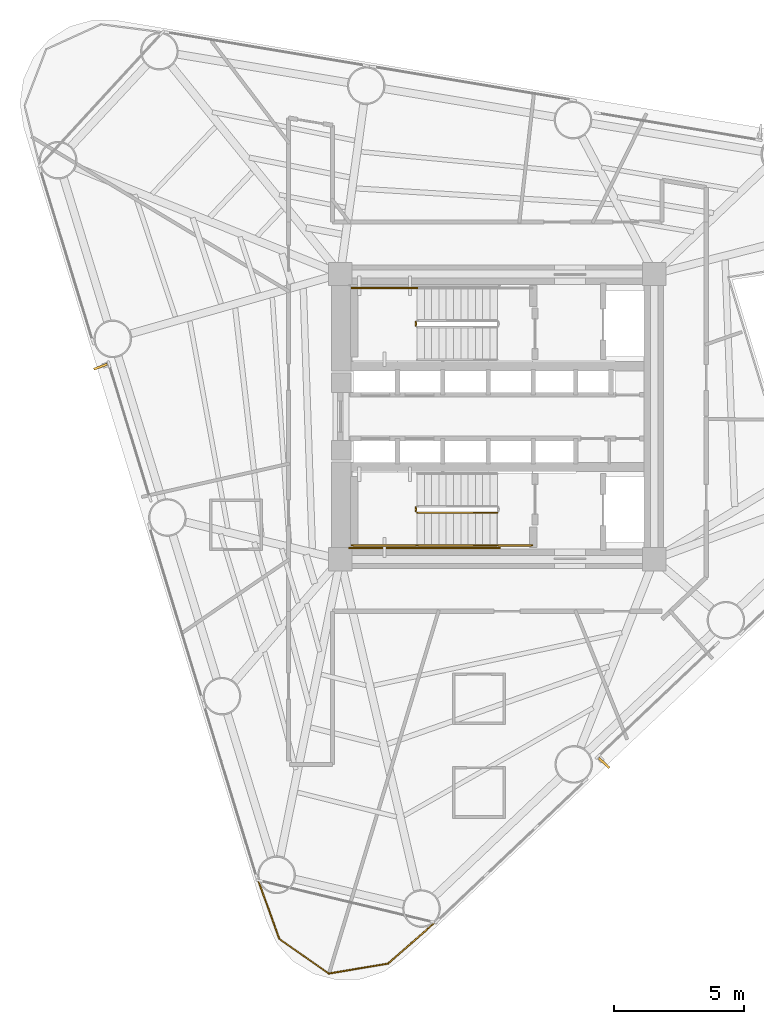
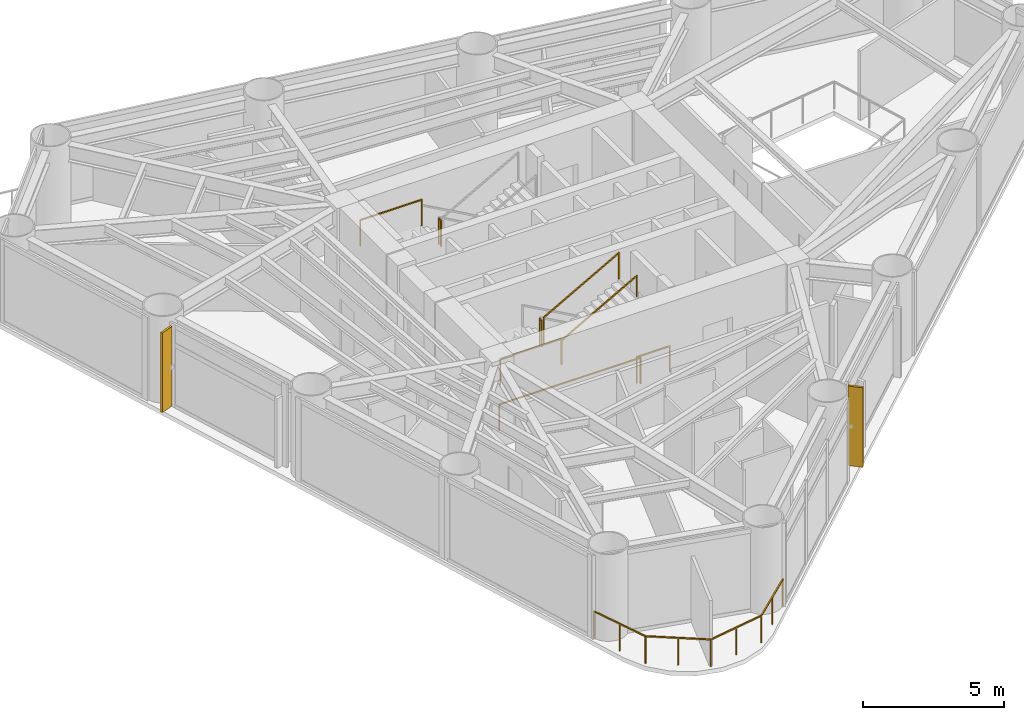
# One storey, part 8 of 10: 9 railings, 2 shading devices.
"""IFC4 building model written with IfcOpenShell, lengths in metres."""

import ifcopenshell
import ifcopenshell.guid

model = None  # the IFC model being written
_history = None  # IfcOwnerHistory: only IFC2X3 demands one
_inside = {}  # id of a spatial element -> (the spatial element, [elements in it])
_under = {}  # id of a project, library or spatial element -> (it, [spatial elements below it])
_declared = {}  # id of a project -> (the project, [libraries it declares])
_typed = {}  # id of a type object -> (the type object, [elements of that type])
_made_of = {}  # id of a material, layer set ... -> (it, [elements and type objects made of it])


def new_model(schema):
    """Start an empty IFC model of exactly this schema.

    Asked for "IFC4X3", IfcOpenShell would pick the latest addendum, in which some entities
    have other attributes; the version numbers below select the first issue.
    IFC2X3 requires an IfcOwnerHistory on every rooted entity: one is made here for all.
    """
    global model, _history
    if schema == "IFC4X3":
        model = ifcopenshell.file(schema_version=(4, 3, 0, 0))
    else:
        model = ifcopenshell.file(schema=schema)
    _inside.clear()
    _under.clear()
    _declared.clear()
    _typed.clear()
    _made_of.clear()
    _history = None
    if model.schema == "IFC2X3":
        org = make("IfcOrganization", Name="unknown")
        user = make(
            "IfcPersonAndOrganization",
            ThePerson=make("IfcPerson", FamilyName="unknown"),
            TheOrganization=org,
        )
        app = make(
            "IfcApplication",
            ApplicationDeveloper=org,
            Version="unknown",
            ApplicationFullName="unknown",
            ApplicationIdentifier="unknown",
        )
        _history = make(
            "IfcOwnerHistory",
            OwningUser=user,
            OwningApplication=app,
            ChangeAction="ADDED",
            CreationDate=0,
        )
    return model


def make(cls, **values):
    """One entity of the class cls with the attributes given. An attribute that is None is left unset."""
    return model.create_entity(
        cls, **{name: value for name, value in values.items() if value is not None}
    )


def rooted(cls, **values):
    """An entity with a GlobalId (a new one), such as an element, a storey or a relation."""
    return make(cls, GlobalId=ifcopenshell.guid.new(), OwnerHistory=_history, **values)


def si_unit(unit_type, name, prefix=None):
    """IfcSIUnit, for example si_unit("LENGTHUNIT", "METRE", prefix="MILLI")."""
    return make("IfcSIUnit", UnitType=unit_type, Prefix=prefix, Name=name)


def assignment(units):
    """IfcUnitAssignment: the units of a project."""
    return None if units is None else make("IfcUnitAssignment", Units=units)


def point(xyz):
    """IfcCartesianPoint."""
    return None if xyz is None else make("IfcCartesianPoint", Coordinates=xyz)


def direction(xyz):
    """IfcDirection."""
    return None if xyz is None else make("IfcDirection", DirectionRatios=xyz)


def frame(location, z_axis=None, x_axis=None):
    """IfcAxis2Placement3D, a coordinate frame: its origin and axes. An axis left out is left unset."""
    return make(
        "IfcAxis2Placement3D",
        Location=point(location),
        Axis=direction(z_axis),
        RefDirection=direction(x_axis),
    )


def frame_2d(location, x_axis=None):
    """IfcAxis2Placement2D, a coordinate frame in the plane: its origin and x axis."""
    return make(
        "IfcAxis2Placement2D", Location=point(location), RefDirection=direction(x_axis)
    )


def origin():
    """The frame at (0, 0, 0) with its axes left unset."""
    return frame((0.0, 0.0, 0.0))


def origin_2d():
    """The frame at (0, 0) in the plane with its x axis left unset."""
    return frame_2d((0.0, 0.0))


def place(relative_to, where):
    """IfcLocalPlacement: puts the frame where relative to a parent placement (None: the world)."""
    return make(
        "IfcLocalPlacement", PlacementRelTo=relative_to, RelativePlacement=where
    )


def context(
    kind, dimensions, precision=None, world=None, true_north=None, identifier=None
):
    """IfcGeometricRepresentationContext, for example the 3D "Model" context."""
    return make(
        "IfcGeometricRepresentationContext",
        ContextIdentifier=identifier,
        ContextType=kind,
        CoordinateSpaceDimension=dimensions,
        Precision=precision,
        WorldCoordinateSystem=world,
        TrueNorth=true_north,
    )


def subcontext(parent, identifier, kind, view, scale=None):
    """IfcGeometricRepresentationSubContext, for example "Body" below "Model"."""
    return make(
        "IfcGeometricRepresentationSubContext",
        ContextIdentifier=identifier,
        ContextType=kind,
        ParentContext=parent,
        TargetScale=scale,
        TargetView=view,
    )


def project(units=None, contexts=None):
    """IfcProject with its units and contexts."""
    return rooted(
        "IfcProject",
        Name="project",
        RepresentationContexts=contexts,
        UnitsInContext=assignment(units),
    )


def spatial(cls, under=None, at=None, **own):
    """A site, building, storey or space (cls), placed at a placement, below another one or the project."""
    s = rooted(cls, ObjectPlacement=at, **own)
    if under is not None:
        _under.setdefault(under.id(), (under, []))[1].append(s)
    return s


def profile(cls, at=None, kind="AREA", **sizes):
    """A parametric profile (cls). Its sizes go by their IFC names, for example OverallWidth=200.0."""
    return make(cls, ProfileType=kind, Position=at, **sizes)


def rectangle(**sizes):
    """IfcRectangleProfileDef."""
    return profile("IfcRectangleProfileDef", **sizes)


def extrude(swept, where, along, depth):
    """IfcExtrudedAreaSolid: the profile swept, set in the frame where, extruded along a direction by depth."""
    return make(
        "IfcExtrudedAreaSolid",
        SweptArea=swept,
        Position=where,
        ExtrudedDirection=direction(along),
        Depth=depth,
    )


def shape(context_of_items, identifier, shape_type, items):
    """IfcShapeRepresentation: the items that make up one representation, for example the "Body"."""
    return make(
        "IfcShapeRepresentation",
        ContextOfItems=context_of_items,
        RepresentationIdentifier=identifier,
        RepresentationType=shape_type,
        Items=items,
    )


def source(mapping_origin, context_of_items, identifier, shape_type, items):
    """IfcRepresentationMap: a shape defined once, which mapped items show again and again."""
    return make(
        "IfcRepresentationMap",
        MappingOrigin=mapping_origin,
        MappedRepresentation=shape(context_of_items, identifier, shape_type, items),
    )


def transform(
    local_origin,
    x_axis=None,
    y_axis=None,
    z_axis=None,
    scale=None,
    scale2=None,
    scale3=None,
    uniform=True,
):
    """IfcCartesianTransformationOperator3D, or its non-uniform kind. x_axis, y_axis, z_axis: its Axis1, 2, 3."""
    if uniform:
        return make(
            "IfcCartesianTransformationOperator3D",
            Axis1=direction(x_axis),
            Axis2=direction(y_axis),
            LocalOrigin=point(local_origin),
            Scale=scale,
            Axis3=direction(z_axis),
        )
    return make(
        "IfcCartesianTransformationOperator3DnonUniform",
        Axis1=direction(x_axis),
        Axis2=direction(y_axis),
        LocalOrigin=point(local_origin),
        Scale=scale,
        Axis3=direction(z_axis),
        Scale2=scale2,
        Scale3=scale3,
    )


def mapped(mapping_source, mapping_target):
    """IfcMappedItem: shows the shape of a source again, moved by a transform."""
    return make(
        "IfcMappedItem", MappingSource=mapping_source, MappingTarget=mapping_target
    )


def material(Name=None, Category=None):
    """IfcMaterial."""
    return make("IfcMaterial", Name=Name, Category=Category)


def material_profile(
    of_material, cross_section, Name=None, Category=None, Priority=None
):
    """IfcMaterialProfile: a cross section and its material."""
    return make(
        "IfcMaterialProfile",
        Name=Name,
        Material=of_material,
        Profile=cross_section,
        Priority=Priority,
        Category=Category,
    )


def profile_set(profiles, Name=None, composite=None):
    """IfcMaterialProfileSet."""
    return make(
        "IfcMaterialProfileSet",
        Name=Name,
        MaterialProfiles=profiles,
        CompositeProfile=composite,
    )


def made_of(thing, what):
    """Note that an element or type object is made of a material, layer set ...; save() writes the relation."""
    if what is not None:
        _made_of.setdefault(what.id(), (what, []))[1].append(thing)
    return thing


def type_object(cls, material=None, **own):
    """A type object (cls), such as IfcWallType, which elements share."""
    return made_of(rooted(cls, **own), material)


def element(
    cls,
    number,
    at=None,
    inside=None,
    cuts=None,
    type_object=None,
    material=None,
    context=None,
    identifier="Body",
    shape_type=None,
    held_by="IfcProductDefinitionShape",
    body=None,
    shapes=None,
    **own,
):
    """One element of the class cls, such as IfcWall. Its Tag is "e" and its number.

    at: its placement. inside: the storey or other place that contains it. cuts: it is an
    opening in that element (IfcRelVoidsElement). A single representation is given by context,
    identifier, shape_type and body (its items); several are given by shapes. held_by: the class
    of the entity that holds the representations. save() writes the other relations.
    """
    e = rooted(cls, Tag="e%d" % number, ObjectPlacement=at, **own)
    if body is not None:
        shapes = [shape(context, identifier, shape_type, body)]
    if shapes is not None:
        e.Representation = make(held_by, Representations=shapes)
    if inside is not None:
        _inside.setdefault(inside.id(), (inside, []))[1].append(e)
    if cuts is not None:
        rooted(
            "IfcRelVoidsElement", RelatingBuildingElement=cuts, RelatedOpeningElement=e
        )
    if type_object is not None:
        _typed.setdefault(type_object.id(), (type_object, []))[1].append(e)
    return made_of(e, material)


def aggregate(whole, parts):
    """IfcRelAggregates: a whole, such as a stair, and the parts it consists of."""
    return rooted("IfcRelAggregates", RelatingObject=whole, RelatedObjects=parts)


def save(model, path):
    """Write the relations noted so far, then the file.

    IfcRelAggregates (storeys below a building ...), IfcRelContainedInSpatialStructure (elements
    in a storey), IfcRelDefinesByType, IfcRelAssociatesMaterial and IfcRelDeclares: one each for
    every whole, place, type object, material and project.
    """
    for whole, parts in _under.values():
        aggregate(whole, parts)
    for where, things in _inside.values():
        rooted(
            "IfcRelContainedInSpatialStructure",
            RelatedElements=things,
            RelatingStructure=where,
        )
    for kind, things in _typed.values():
        rooted("IfcRelDefinesByType", RelatedObjects=things, RelatingType=kind)
    for what, things in _made_of.values():
        rooted("IfcRelAssociatesMaterial", RelatedObjects=things, RelatingMaterial=what)
    for by, libraries in _declared.values():
        rooted("IfcRelDeclares", RelatingContext=by, RelatedDefinitions=libraries)
    model.write(path)


model = new_model("IFC4")

# Units and contexts
model_context = context("Model", 3, precision=1e-05, world=origin(), true_north=direction((0.0, 1.0)))
body_context = subcontext(model_context, "Body", "Model", "MODEL_VIEW")
ifc_project = project(units=[si_unit("LENGTHUNIT", "METRE"), si_unit("AREAUNIT", "SQUARE_METRE"), si_unit("VOLUMEUNIT", "CUBIC_METRE"), si_unit("PLANEANGLEUNIT", "RADIAN"), si_unit("MASSUNIT", "GRAM", prefix="KILO")], contexts=[model_context])

# Site, building, storey
site_placement = place(None, origin())
site = spatial("IfcSite", under=ifc_project, at=site_placement, CompositionType="ELEMENT")
building_placement = place(site_placement, origin())
building = spatial("IfcBuilding", under=site, at=building_placement, Name="Yunling Apex Tower", CompositionType="ELEMENT")
storey_placement = place(building_placement, frame((0.0, 0.0, 93.64990234375)))
storey = spatial("IfcBuildingStorey", under=building, at=storey_placement, Name="L23", CompositionType="ELEMENT", Elevation=93.64990234375)

# Railings
ifc_material_1 = material(Name="Bronze anodised aluminium", Category="aluminium")
railing_type_1 = type_object("IfcRailingType", Name="RL-BAL-1200", PredefinedType="BALUSTRADE", material=ifc_material_1)
railing_1_placement = place(storey_placement, frame((-2.412353515625, -19.497314453125, 0.0)))
element("IfcRailing", 1, at=railing_1_placement, inside=storey, type_object=railing_type_1, Name="RL-CRNSILL-L23-3", PredefinedType="BALUSTRADE", context=body_context, shape_type="SweptSolid", body=[
    extrude(rectangle(XDim=0.0439453125, YDim=0.0439453125, at=origin_2d()), origin(), (0.0, 0.0, 1.0), 1.199951171875),
    extrude(rectangle(XDim=0.0439453125, YDim=0.0439453125, at=origin_2d()), frame((-1.796630859375, -1.580078125, 0.0)), (0.0, 0.0, 1.0), 1.199951171875),
    extrude(rectangle(XDim=0.050048828125, YDim=0.050048828125, at=origin_2d()), frame((-0.02880859375, -0.025390625, 1.1748046875), z_axis=(-0.750911858274, -0.660402438748, 0.0), x_axis=(0.660402438748, -0.750911858274, 0.0)), (0.0, 0.0, 1.0), 2.31591796875),
    extrude(rectangle(XDim=0.0439453125, YDim=0.0439453125, at=origin_2d()), frame((-0.8984375, -0.7900390625, 0.0)), (0.0, 0.0, 1.0), 1.14599609375),
    extrude(rectangle(XDim=0.0439453125, YDim=0.0439453125, at=origin_2d()), frame((-4.085205078125, -1.96484375, 0.0)), (0.0, 0.0, 1.0), 1.199951171875),
    extrude(rectangle(XDim=0.050048828125, YDim=0.050048828125, at=origin_2d()), frame((-1.83447265625, -1.58642578125, 1.1748046875), z_axis=(-0.986159782391, -0.165797718908, 0.0), x_axis=(0.165797718908, -0.986159782391, 0.0)), (0.0, 0.0, 1.0), 2.244140625),
    extrude(rectangle(XDim=0.0439453125, YDim=0.0439453125, at=origin_2d()), frame((-2.94091796875, -1.7724609375, 0.0)), (0.0, 0.0, 1.0), 1.14599609375),
    extrude(rectangle(XDim=0.0439453125, YDim=0.0439453125, at=origin_2d()), frame((-5.991943359375, -0.62890625, 0.0)), (0.0, 0.0, 1.0), 1.199951171875),
    extrude(rectangle(XDim=0.050048828125, YDim=0.050048828125, at=origin_2d()), frame((-4.11669921875, -1.94287109375, 1.1748046875), z_axis=(-0.818985520809, 0.573814183081, 0.0), x_axis=(-0.573814183081, -0.818985520809, 0.0)), (0.0, 0.0, 1.0), 2.25146484375),
    extrude(rectangle(XDim=0.0439453125, YDim=0.0439453125, at=origin_2d()), frame((-5.03857421875, -1.296875, 0.0)), (0.0, 0.0, 1.0), 1.14599609375),
    extrude(rectangle(XDim=0.0439453125, YDim=0.0439453125, at=origin_2d()), frame((-6.80224609375, 1.62158203125, 0.0)), (0.0, 0.0, 1.0), 1.199951171875),
    extrude(rectangle(XDim=0.050048828125, YDim=0.050048828125, at=origin_2d()), frame((-6.0048828125, -0.5927734375, 1.1748046875), z_axis=(-0.338766454211, 0.940870495606, 0.0), x_axis=(-0.940870495606, -0.338766454211, 0.0)), (0.0, 0.0, 1.0), 2.315185546875),
    extrude(rectangle(XDim=0.0439453125, YDim=0.0439453125, at=origin_2d()), frame((-6.39697265625, 0.496337890625, 0.0)), (0.0, 0.0, 1.0), 1.14599609375),
])
ifc_material_2 = material(Name="Steel Q355B", Category="steel")
railing_type_2 = type_object("IfcRailingType", Name="RL-GRD-1150", PredefinedType="GUARDRAIL", material=ifc_material_2)
railing_2_placement = place(storey_placement, frame((-3.139892578125, 3.64990234375, 1.875)))
element("IfcRailing", 2, at=railing_2_placement, inside=storey, type_object=railing_type_2, Name="L23 ST-1 stair guard 2", PredefinedType="GUARDRAIL", context=body_context, shape_type="SweptSolid", body=[
    extrude(rectangle(XDim=0.0439453125, YDim=0.0439453125, at=origin_2d()), origin(), (0.0, 0.0, 1.0), 1.14990234375),
    extrude(rectangle(XDim=0.0439453125, YDim=0.0439453125, at=origin_2d()), frame((0.0, -0.14990234375, 0.0)), (0.0, 0.0, 1.0), 1.14990234375),
    extrude(rectangle(XDim=0.050048828125, YDim=0.050048828125, at=origin_2d()), frame((0.0, -0.038330078125, 1.125), z_axis=(0.0, -1.0, 0.0), x_axis=(1.0, 0.0, 0.0)), (0.0, 0.0, 1.0), 0.0732421875),
])
railing_3_placement = place(storey_placement, frame((-3.090087890625, 4.9599609375, 1.875)))
element("IfcRailing", 3, at=railing_3_placement, inside=storey, type_object=railing_type_2, Name="L23 ST-1 stair guard 3", PredefinedType="GUARDRAIL", context=body_context, shape_type="SweptSolid", body=[
    extrude(rectangle(XDim=0.0439453125, YDim=0.0439453125, at=origin_2d()), origin(), (0.0, 0.0, 1.0), 1.14990234375),
    extrude(rectangle(XDim=0.0439453125, YDim=0.0439453125, at=origin_2d()), frame((-2.510009765625, 0.0, 0.0)), (0.0, 0.0, 1.0), 1.14990234375),
    extrude(rectangle(XDim=0.050048828125, YDim=0.050048828125, at=origin_2d()), frame((-0.038330078125, 0.0, 1.125), z_axis=(-1.0, 0.0, 0.0), x_axis=(0.0, -1.0, 0.0)), (0.0, 0.0, 1.0), 2.433349609375),
])
railing_4_placement = place(storey_placement, frame((-3.139892578125, -3.5, 1.875)))
element("IfcRailing", 4, at=railing_4_placement, inside=storey, type_object=railing_type_2, Name="L23 ST-2 stair guard 2", PredefinedType="GUARDRAIL", context=body_context, shape_type="SweptSolid", body=[
    extrude(rectangle(XDim=0.0439453125, YDim=0.0439453125, at=origin_2d()), origin(), (0.0, 0.0, 1.0), 1.14990234375),
    extrude(rectangle(XDim=0.0439453125, YDim=0.0439453125, at=origin_2d()), frame((0.0, -0.14990234375, 0.0)), (0.0, 0.0, 1.0), 1.14990234375),
    extrude(rectangle(XDim=0.050048828125, YDim=0.050048828125, at=origin_2d()), frame((0.0, -0.038330078125, 1.125), z_axis=(0.0, -1.0, 0.0), x_axis=(1.0, 0.0, 0.0)), (0.0, 0.0, 1.0), 0.0732421875),
])
railing_5_placement = place(storey_placement, frame((-3.090087890625, -4.9599609375, 1.875)))
element("IfcRailing", 5, at=railing_5_placement, inside=storey, type_object=railing_type_2, Name="L23 ST-2 stair guard 3", PredefinedType="GUARDRAIL", context=body_context, shape_type="SweptSolid", body=[
    extrude(rectangle(XDim=0.0439453125, YDim=0.0439453125, at=origin_2d()), origin(), (0.0, 0.0, 1.0), 1.14990234375),
    extrude(rectangle(XDim=0.0439453125, YDim=0.0439453125, at=origin_2d()), frame((-2.510009765625, 0.0, 0.0)), (0.0, 0.0, 1.0), 1.14990234375),
    extrude(rectangle(XDim=0.050048828125, YDim=0.050048828125, at=origin_2d()), frame((-0.038330078125, 0.0, 1.125), z_axis=(-1.0, 0.0, 0.0), x_axis=(0.0, -1.0, 0.0)), (0.0, 0.0, 1.0), 2.433349609375),
])
railing_6_placement = place(storey_placement, frame((-3.090087890625, -3.699951171875, 2.03125)))
element("IfcRailing", 6, at=railing_6_placement, inside=storey, type_object=railing_type_2, Name="L23 ST-2 stair guard 4", PredefinedType="GUARDRAIL", context=body_context, shape_type="SweptSolid", body=[
    extrude(rectangle(XDim=0.0439453125, YDim=0.0439453125, at=origin_2d()), origin(), (0.0, 0.0, 1.0), 1.14990234375),
    extrude(rectangle(XDim=0.0439453125, YDim=0.0439453125, at=origin_2d()), frame((3.080078125, 0.0, 1.71875)), (0.0, 0.0, 1.0), 1.14990234375),
    extrude(rectangle(XDim=0.050048828125, YDim=0.050048828125, at=origin_2d()), frame((0.033447265625, 0.0, 1.1435546875), z_axis=(0.873241540666, 0.0, 0.487287606713), x_axis=(0.0, 1.0, 0.0)), (0.0, 0.0, 1.0), 3.450439453125),
])
railing_7_placement = place(storey_placement, frame((1.35009765625, -4.9599609375, 0.0)))
element("IfcRailing", 7, at=railing_7_placement, inside=storey, type_object=railing_type_2, Name="L23 ST-2 stair guard 6", PredefinedType="GUARDRAIL", context=body_context, shape_type="SweptSolid", body=[
    extrude(rectangle(XDim=0.0439453125, YDim=0.0439453125, at=origin_2d()), origin(), (0.0, 0.0, 1.0), 1.14990234375),
    extrude(rectangle(XDim=0.0439453125, YDim=0.0439453125, at=origin_2d()), frame((-1.360107421875, 0.0, 0.0)), (0.0, 0.0, 1.0), 1.14990234375),
    extrude(rectangle(XDim=0.050048828125, YDim=0.050048828125, at=origin_2d()), frame((-0.038330078125, 0.0, 1.125), z_axis=(-1.0, 0.0, 0.0), x_axis=(0.0, -1.0, 0.0)), (0.0, 0.0, 1.0), 1.283447265625),
])
railing_8_placement = place(storey_placement, frame((0.090087890625, -5.06005859375, 0.0)))
element("IfcRailing", 8, at=railing_8_placement, inside=storey, type_object=railing_type_2, Name="L23 ST-2 stair guard 7", PredefinedType="GUARDRAIL", context=body_context, shape_type="SweptSolid", body=[
    extrude(rectangle(XDim=0.0439453125, YDim=0.0439453125, at=origin_2d()), origin(), (0.0, 0.0, 1.0), 1.14990234375),
    extrude(rectangle(XDim=0.0439453125, YDim=0.0439453125, at=origin_2d()), frame((-5.7900390625, 0.0, 0.0)), (0.0, 0.0, 1.0), 1.14990234375),
    extrude(rectangle(XDim=0.050048828125, YDim=0.050048828125, at=origin_2d()), frame((-0.038330078125, 0.0, 1.125), z_axis=(-1.0, 0.0, 0.0), x_axis=(0.0, -1.0, 0.0)), (0.0, 0.0, 1.0), 5.71337890625),
])
ifc_material_3 = material(Name="Silver anodised aluminium", Category="aluminium")
railing_type_3 = type_object("IfcRailingType", Name="RL-HND-900", PredefinedType="HANDRAIL", material=ifc_material_3)
railing_9_placement = place(storey_placement, frame((-3.090087890625, -4.9599609375, 2.03125)))
element("IfcRailing", 9, at=railing_9_placement, inside=storey, type_object=railing_type_3, Name="L23 ST-2 stair handrail 2", PredefinedType="HANDRAIL", context=body_context, shape_type="SweptSolid", body=[
    extrude(rectangle(XDim=0.0439453125, YDim=0.0439453125, at=origin_2d()), origin(), (0.0, 0.0, 1.0), 0.919921875),
    extrude(rectangle(XDim=0.0439453125, YDim=0.0439453125, at=origin_2d()), frame((3.080078125, 0.0, 1.71875)), (0.0, 0.0, 1.0), 0.919921875),
    extrude(rectangle(XDim=0.050048828125, YDim=0.050048828125, at=origin_2d()), frame((0.033447265625, 0.0, 0.91357421875), z_axis=(0.873241540666, 0.0, 0.487287606713), x_axis=(0.0, 1.0, 0.0)), (0.0, 0.0, 1.0), 3.450439453125),
])

# Shading devices
ifc_material_profile = material_profile(ifc_material_1, rectangle(XDim=0.0849609375, YDim=0.550048828125, at=origin_2d()))
ifc_profile_set = profile_set([ifc_material_profile], Name="Bronze anodised aluminium")
shading_device_type = type_object("IfcShadingDeviceType", Name="FN-BRZ-3", PredefinedType="USERDEFINED", material=ifc_profile_set)
shared_shape = source(origin(), body_context, "Body", "SweptSolid", [
    extrude(rectangle(XDim=0.0849609375, YDim=0.550048828125, at=origin_2d()), origin(), (0.0, 0.0, 1.0), 3.445068359375),
])
for number, where, z_axis, x_axis, name in (
    (10, (4.11376953125, -13.347412109375, 0.06005859375), (0.0, 0.0, 1.0), (0.679313233894, 0.733848438205, 0.0), "CW-L23-F1-B2-FIN-01"),
    (11, (-15.29443359375, 1.92529296875, 0.06005859375), (0.0, 0.0, 1.0), (0.354291037998, -0.935135209686, 0.0), "CW-L23-F3-B2-FIN-01"),
):
    element("IfcShadingDevice", number, at=place(storey_placement, frame(where, z_axis=z_axis, x_axis=x_axis)), inside=storey, type_object=shading_device_type, Name=name, ObjectType="FIN", PredefinedType="USERDEFINED", context=body_context, shape_type="MappedRepresentation", body=[
        mapped(shared_shape, transform((0.0, 0.0, 0.0), scale=1.0)),
    ])

save(model, "model.ifc")
